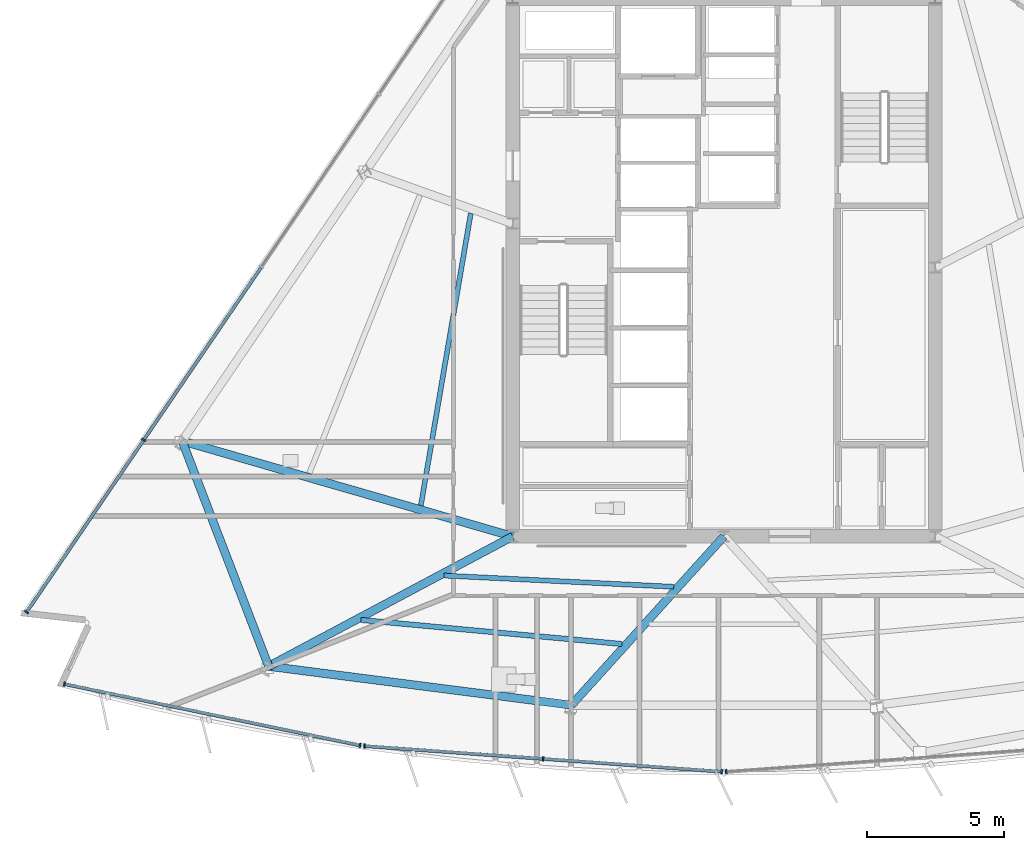
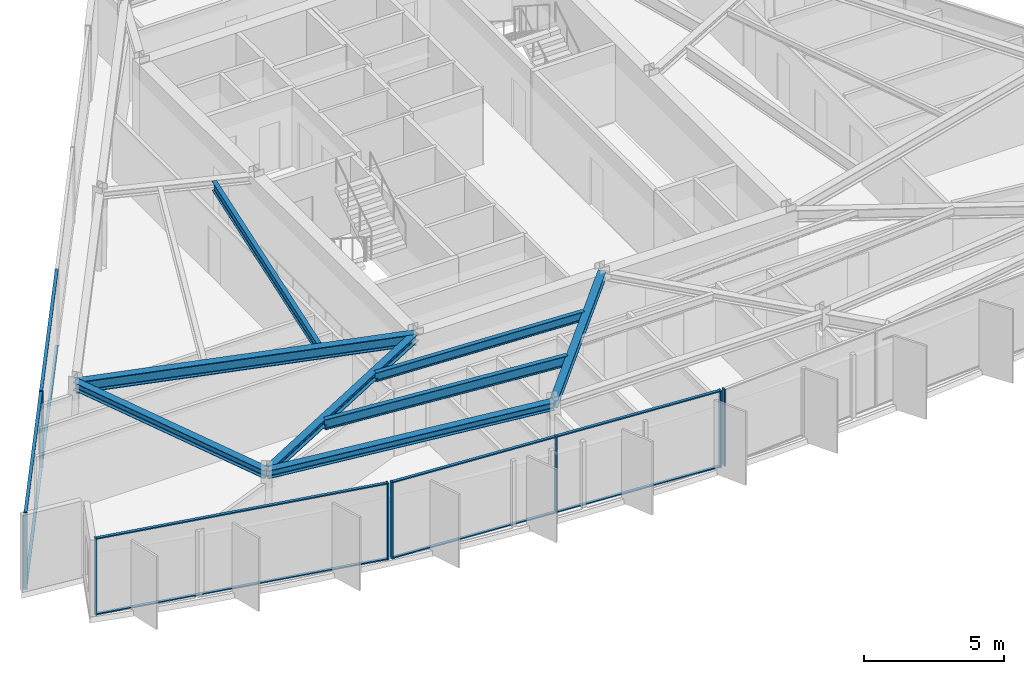
# One storey, part 2 of 15: 18 members, 8 beams, 4 elements without a shape of their own.
"""IFC4 building model written with IfcOpenShell, lengths in metres."""

from ifc_helpers import new_model, si_unit, direction, frame, origin, origin_2d, place, context, subcontext, project, spatial, rectangle, i_section, extrude, material, material_profile, profile_set, type_object, element, aggregate, save


model = new_model("IFC4")

# Units and contexts
model_context = context("Model", 3, precision=1e-05, world=origin(), true_north=direction((0.0, 1.0)))
body_context = subcontext(model_context, "Body", "Model", "MODEL_VIEW")
ifc_project = project(units=[si_unit("LENGTHUNIT", "METRE"), si_unit("AREAUNIT", "SQUARE_METRE"), si_unit("VOLUMEUNIT", "CUBIC_METRE"), si_unit("PLANEANGLEUNIT", "RADIAN"), si_unit("MASSUNIT", "GRAM", prefix="KILO")], contexts=[model_context])

# Site, building, storey
site_placement = place(None, origin())
site = spatial("IfcSite", under=ifc_project, at=site_placement, CompositionType="ELEMENT")
building_placement = place(site_placement, origin())
building = spatial("IfcBuilding", under=site, at=building_placement, Name="Savorim Split Tower", CompositionType="ELEMENT")
storey_placement = place(building_placement, frame((0.0, 0.0, 212.699951171875)))
storey = spatial("IfcBuildingStorey", under=building, at=storey_placement, Name="L56", CompositionType="ELEMENT", Elevation=212.699951171875)

# Beams
ifc_material_1 = material(Name="Steel S355", Category="steel")
ifc_material_profile_1 = material_profile(ifc_material_1, i_section(OverallWidth=0.179931640625, OverallDepth=0.39990234375, WebThickness=0.008544921875, FlangeThickness=0.013427734375, FilletRadius=0.02099609375, at=origin_2d()), Name="IPE 400")
ifc_profile_set_1 = profile_set([ifc_material_profile_1], Name="Steel S355")
beam_type_1 = type_object("IfcBeamType", Name="BM-JST-IPE400", PredefinedType="JOIST", material=ifc_profile_set_1)
beam_1_placement = place(storey_placement, frame((-10.208984375, -10.828369140625, 3.150146484375), z_axis=(0.998808721935, -0.04879689526, 0.0), x_axis=(0.04879689526, 0.998808721935, 0.0)))
element("IfcBeam", 1, at=beam_1_placement, inside=storey, type_object=beam_type_1, Name="L56 Secondary Floor Joist JS-02", PredefinedType="JOIST", context=body_context, shape_type="SweptSolid", body=[
    extrude(i_section(OverallWidth=0.179931640625, OverallDepth=0.39990234375, WebThickness=0.008544921875, FlangeThickness=0.013427734375, FilletRadius=0.02099609375, at=origin_2d()), origin(), (0.0, 0.0, 1.0), 8.390380859375),
])
beam_2_placement = place(storey_placement, frame((-9.228271484375, 2.3759765625, 3.150146484375), z_axis=(-0.168382724639, -0.985721694011, 0.0), x_axis=(0.985721694011, -0.168382724639, 0.0)))
element("IfcBeam", 2, at=beam_2_placement, inside=storey, type_object=beam_type_1, Name="L56 Secondary Floor Joist JS-11", PredefinedType="JOIST", context=body_context, shape_type="SweptSolid", body=[
    extrude(i_section(OverallWidth=0.179931640625, OverallDepth=0.39990234375, WebThickness=0.008544921875, FlangeThickness=0.013427734375, FilletRadius=0.02099609375, at=origin_2d()), origin(), (0.0, 0.0, 1.0), 10.799072265625),
])
ifc_material_profile_2 = material_profile(ifc_material_1, i_section(OverallWidth=0.18994140625, OverallDepth=0.449951171875, WebThickness=0.009521484375, FlangeThickness=0.0146484375, FilletRadius=0.02099609375, at=origin_2d()), Name="IPE 450")
ifc_profile_set_2 = profile_set([ifc_material_profile_2], Name="Steel S355")
beam_type_2 = type_object("IfcBeamType", Name="BM-JST-IPE450", PredefinedType="JOIST", material=ifc_profile_set_2)
beam_3_placement = place(storey_placement, frame((-13.234130859375, -12.4453125, 3.125), z_axis=(0.995777429373, -0.091800387534, 0.0), x_axis=(0.091800387534, 0.995777429373, 0.0)))
element("IfcBeam", 3, at=beam_3_placement, inside=storey, type_object=beam_type_2, Name="L56 Secondary Floor Joist JS-01", PredefinedType="JOIST", context=body_context, shape_type="SweptSolid", body=[
    extrude(i_section(OverallWidth=0.18994140625, OverallDepth=0.449951171875, WebThickness=0.009521484375, FlangeThickness=0.0146484375, FilletRadius=0.02099609375, at=origin_2d()), origin(), (0.0, 0.0, 1.0), 9.555419921875),
])
ifc_material_profile_3 = material_profile(ifc_material_1, i_section(OverallWidth=0.300048828125, OverallDepth=0.320068359375, WebThickness=0.011474609375, FlangeThickness=0.0205078125, FilletRadius=0.027099609375, at=origin_2d()), Name="HEB 320")
ifc_profile_set_3 = profile_set([ifc_material_profile_3], Name="Steel S355")
beam_type_3 = type_object("IfcBeamType", Name="BM-PRI-HEB320", PredefinedType="BEAM", material=ifc_profile_set_3)
beam_4_placement = place(storey_placement, frame((-16.595947265625, -14.135009765625, 3.18994140625), z_axis=(0.882740924774, 0.469860042703, 0.0), x_axis=(-0.469860042703, 0.882740924774, 0.0)))
element("IfcBeam", 4, at=beam_4_placement, inside=storey, type_object=beam_type_3, Name="L56 Primary Floor Girder RG-01", PredefinedType="BEAM", context=body_context, shape_type="SweptSolid", body=[
    extrude(i_section(OverallWidth=0.300048828125, OverallDepth=0.320068359375, WebThickness=0.011474609375, FlangeThickness=0.0205078125, FilletRadius=0.027099609375, at=origin_2d()), origin(), (0.0, 0.0, 1.0), 10.07763671875),
])
beam_5_placement = place(storey_placement, frame((-5.562255859375, -15.5517578125, 3.18994140625), z_axis=(0.670667402164, 0.741758205667, 0.0), x_axis=(-0.741758205667, 0.670667402164, 0.0)))
element("IfcBeam", 5, at=beam_5_placement, inside=storey, type_object=beam_type_3, Name="L56 Primary Floor Girder RG-02", PredefinedType="BEAM", context=body_context, shape_type="SweptSolid", body=[
    extrude(i_section(OverallWidth=0.300048828125, OverallDepth=0.320068359375, WebThickness=0.011474609375, FlangeThickness=0.0205078125, FilletRadius=0.027099609375, at=origin_2d()), origin(), (0.0, 0.0, 1.0), 8.293701171875),
])
ifc_material_profile_4 = material_profile(ifc_material_1, i_section(OverallWidth=0.300048828125, OverallDepth=0.5, WebThickness=0.014404296875, FlangeThickness=0.028076171875, FilletRadius=0.027099609375, at=origin_2d()), Name="HEB 500")
ifc_profile_set_4 = profile_set([ifc_material_profile_4], Name="Steel S355")
beam_type_4 = type_object("IfcBeamType", Name="BM-PRI-HEB500", PredefinedType="BEAM", material=ifc_profile_set_4)
beam_6_placement = place(storey_placement, frame((-19.748291015625, -5.923095703125, 3.10009765625), z_axis=(0.960795469509, -0.277258121201, 0.0), x_axis=(0.277258121201, 0.960795469509, 0.0)))
element("IfcBeam", 6, at=beam_6_placement, inside=storey, type_object=beam_type_4, Name="L56 Primary Floor Girder RG-10", PredefinedType="BEAM", context=body_context, shape_type="SweptSolid", body=[
    extrude(i_section(OverallWidth=0.300048828125, OverallDepth=0.5, WebThickness=0.014404296875, FlangeThickness=0.028076171875, FilletRadius=0.027099609375, at=origin_2d()), origin(), (0.0, 0.0, 1.0), 12.5400390625),
])
ifc_material_profile_5 = material_profile(ifc_material_1, i_section(OverallWidth=0.300048828125, OverallDepth=0.35009765625, WebThickness=0.010009765625, FlangeThickness=0.017578125, FilletRadius=0.027099609375, at=origin_2d()), Name="HEA 360")
ifc_profile_set_5 = profile_set([ifc_material_profile_5], Name="Steel S355")
beam_type_5 = type_object("IfcBeamType", Name="BM-SPN-HEA360", PredefinedType="SPANDREL", material=ifc_profile_set_5)
beam_7_placement = place(storey_placement, frame((-16.595947265625, -14.135009765625, 3.175048828125), z_axis=(0.991857016429, -0.127356424887, 0.0), x_axis=(0.127356424887, 0.991857016429, 0.0)))
element("IfcBeam", 7, at=beam_7_placement, inside=storey, type_object=beam_type_5, Name="L56 Perimeter Spandrel Beam 1", PredefinedType="SPANDREL", context=body_context, shape_type="SweptSolid", body=[
    extrude(i_section(OverallWidth=0.300048828125, OverallDepth=0.35009765625, WebThickness=0.010009765625, FlangeThickness=0.017578125, FilletRadius=0.027099609375, at=origin_2d()), origin(), (0.0, 0.0, 1.0), 11.124267578125),
])
beam_8_placement = place(storey_placement, frame((-19.748291015625, -5.923095703125, 3.175048828125), z_axis=(0.358376399785, -0.93357718271, 0.0), x_axis=(0.93357718271, 0.358376399785, 0.0)))
element("IfcBeam", 8, at=beam_8_placement, inside=storey, type_object=beam_type_5, Name="L56 Perimeter Spandrel Beam 10", PredefinedType="SPANDREL", context=body_context, shape_type="SweptSolid", body=[
    extrude(i_section(OverallWidth=0.300048828125, OverallDepth=0.35009765625, WebThickness=0.010009765625, FlangeThickness=0.017578125, FilletRadius=0.027099609375, at=origin_2d()), origin(), (0.0, 0.0, 1.0), 8.796142578125),
])

# Curtain wall, members
ifc_material_2 = material(Name="Dark Ceramic-Fritted Insulated Glass", Category="glass")
curtain_wall_type = type_object("IfcCurtainWallType", Name="CW-TWR-FRIT-B", PredefinedType="NOTDEFINED", material=ifc_material_2)
curtain_wall_1_placement = place(storey_placement, origin())
curtain_wall_1 = element("IfcCurtainWall", 9, at=curtain_wall_1_placement, inside=storey, type_object=curtain_wall_type, Name="L56 Curtain Wall CW-L56-SF1", PredefinedType="NOTDEFINED")
ifc_material_3 = material(Name="Charcoal Anodised Aluminium", Category="aluminium")
ifc_material_profile_6 = material_profile(ifc_material_3, rectangle(XDim=0.159912109375, YDim=0.06005859375, at=origin_2d()), Name="ALU-M 160x60")
ifc_profile_set_6 = profile_set([ifc_material_profile_6], Name="Charcoal Anodised Aluminium")
member_type_1 = type_object("IfcMemberType", Name="CWM-160x60", PredefinedType="MULLION", material=ifc_profile_set_6)
member_1_placement = place(storey_placement, frame((-24.041259765625, -14.782958984375, 0.0), z_axis=(0.0, 0.0, 1.0), x_axis=(0.203207957161, 0.979135601511, 0.0)))
member_1 = element("IfcMember", 10, at=member_1_placement, type_object=member_type_1, Name="CW-03 mullion 1", PredefinedType="MULLION", context=body_context, shape_type="SweptSolid", body=[
    extrude(rectangle(XDim=0.159912109375, YDim=0.06005859375, at=origin_2d()), origin(), (0.0, 0.0, 1.0), 3.35009765625),
])
member_2_placement = place(storey_placement, frame((-13.264404296875, -17.01953125, 0.0), z_axis=(0.0, 0.0, 1.0), x_axis=(0.203207957161, 0.979135601511, 0.0)))
member_2 = element("IfcMember", 11, at=member_2_placement, type_object=member_type_1, Name="CW-03 mullion 2", PredefinedType="MULLION", context=body_context, shape_type="SweptSolid", body=[
    extrude(rectangle(XDim=0.159912109375, YDim=0.06005859375, at=origin_2d()), origin(), (0.0, 0.0, 1.0), 3.35009765625),
])

curtain_wall_2_placement = place(storey_placement, origin())
curtain_wall_2 = element("IfcCurtainWall", 12, at=curtain_wall_2_placement, inside=storey, type_object=curtain_wall_type, Name="L56 Curtain Wall CW-L56-SF2", PredefinedType="NOTDEFINED")
member_3_placement = place(storey_placement, frame((-13.102294921875, -17.0419921875, 0.0), z_axis=(0.0, 0.0, 1.0), x_axis=(0.071561883187, 0.997436161804, 0.0)))
member_3 = element("IfcMember", 13, at=member_3_placement, type_object=member_type_1, Name="CW-03 mullion 1", PredefinedType="MULLION", context=body_context, shape_type="SweptSolid", body=[
    extrude(rectangle(XDim=0.159912109375, YDim=0.06005859375, at=origin_2d()), origin(), (0.0, 0.0, 1.0), 3.35009765625),
])
member_4_placement = place(storey_placement, frame((-6.591796875, -17.509033203125, 0.0), z_axis=(0.0, 0.0, 1.0), x_axis=(0.071561883187, 0.997436161804, 0.0)))
member_4 = element("IfcMember", 14, at=member_4_placement, type_object=member_type_1, Name="CW-03 mullion 2", PredefinedType="MULLION", context=body_context, shape_type="SweptSolid", body=[
    extrude(rectangle(XDim=0.159912109375, YDim=0.06005859375, at=origin_2d()), origin(), (0.0, 0.0, 1.0), 3.35009765625),
])
member_5_placement = place(storey_placement, frame((-0.081298828125, -17.976318359375, 0.0), z_axis=(0.0, 0.0, 1.0), x_axis=(0.071561883187, 0.997436161804, 0.0)))
member_5 = element("IfcMember", 15, at=member_5_placement, type_object=member_type_1, Name="CW-03 mullion 3", PredefinedType="MULLION", context=body_context, shape_type="SweptSolid", body=[
    extrude(rectangle(XDim=0.159912109375, YDim=0.06005859375, at=origin_2d()), origin(), (0.0, 0.0, 1.0), 3.35009765625),
])

# Curtain wall, member
curtain_wall_3_placement = place(storey_placement, origin())
curtain_wall_3 = element("IfcCurtainWall", 16, at=curtain_wall_3_placement, inside=storey, type_object=curtain_wall_type, Name="L56 Curtain Wall CW-L56-SF3", PredefinedType="NOTDEFINED")
member_6_placement = place(storey_placement, frame((0.081298828125, -17.976318359375, 0.0), z_axis=(0.0, 0.0, 1.0), x_axis=(-0.071561883187, 0.997436161804, 0.0)))
member_6 = element("IfcMember", 17, at=member_6_placement, type_object=member_type_1, Name="CW-03 mullion 1", PredefinedType="MULLION", context=body_context, shape_type="SweptSolid", body=[
    extrude(rectangle(XDim=0.159912109375, YDim=0.06005859375, at=origin_2d()), origin(), (0.0, 0.0, 1.0), 3.35009765625),
])
aggregate(curtain_wall_3, [member_6])

# Curtain wall, members
curtain_wall_4_placement = place(storey_placement, origin())
curtain_wall_4 = element("IfcCurtainWall", 18, at=curtain_wall_4_placement, inside=storey, type_object=curtain_wall_type, Name="L56 Curtain Wall CW-L56-WEST", PredefinedType="NOTDEFINED")
member_7_placement = place(storey_placement, frame((-21.147705078125, -5.884033203125, 0.0), z_axis=(0.0, 0.0, 1.0), x_axis=(0.826820907104, -0.562465276773, 0.0)))
member_7 = element("IfcMember", 19, at=member_7_placement, type_object=member_type_1, Name="CW-03 mullion 4", PredefinedType="MULLION", context=body_context, shape_type="SweptSolid", body=[
    extrude(rectangle(XDim=0.159912109375, YDim=0.06005859375, at=origin_2d()), origin(), (0.0, 0.0, 1.0), 3.35009765625),
])
member_8_placement = place(storey_placement, frame((-25.4189453125, -12.16259765625, 0.0), z_axis=(0.0, 0.0, 1.0), x_axis=(0.826820907104, -0.562465276773, 0.0)))
member_8 = element("IfcMember", 20, at=member_8_placement, type_object=member_type_1, Name="CW-03 mullion 5", PredefinedType="MULLION", context=body_context, shape_type="SweptSolid", body=[
    extrude(rectangle(XDim=0.159912109375, YDim=0.06005859375, at=origin_2d()), origin(), (0.0, 0.0, 1.0), 3.35009765625),
])

# Member
ifc_material_profile_7 = material_profile(ifc_material_3, rectangle(XDim=0.1201171875, YDim=0.050048828125, at=origin_2d()), Name="ALU-T 120x50")
ifc_profile_set_7 = profile_set([ifc_material_profile_7], Name="Charcoal Anodised Aluminium")
member_type_2 = type_object("IfcMemberType", Name="CWT-120x50", PredefinedType="USERDEFINED", material=ifc_profile_set_7)
member_9_placement = place(storey_placement, frame((-24.011962890625, -14.7890625, 0.025146484375), z_axis=(0.979137102834, -0.203200723063, 0.0), x_axis=(0.203200723063, 0.979137102834, 0.0)))
member_9 = element("IfcMember", 21, at=member_9_placement, type_object=member_type_2, Name="CW-03 transom 1.1", ObjectType="TRANSOM", PredefinedType="USERDEFINED", context=body_context, shape_type="SweptSolid", body=[
    extrude(rectangle(XDim=0.1201171875, YDim=0.050048828125, at=origin_2d()), origin(), (0.0, 0.0, 1.0), 10.946533203125),
])

member_10_placement = place(storey_placement, frame((-24.011962890625, -14.7890625, 3.324951171875), z_axis=(0.979137102834, -0.203200723063, 0.0), x_axis=(0.203200723063, 0.979137102834, 0.0)))
member_10 = element("IfcMember", 22, at=member_10_placement, type_object=member_type_2, Name="CW-03 transom 1.2", ObjectType="TRANSOM", PredefinedType="USERDEFINED", context=body_context, shape_type="SweptSolid", body=[
    extrude(rectangle(XDim=0.1201171875, YDim=0.050048828125, at=origin_2d()), origin(), (0.0, 0.0, 1.0), 10.946533203125),
])

aggregate(curtain_wall_1, [member_1, member_2, member_9, member_10])

member_11_placement = place(storey_placement, frame((-13.072265625, -17.044189453125, 0.025146484375), z_axis=(0.997435267849, -0.071574342133, 0.0), x_axis=(0.071574342133, 0.997435267849, 0.0)))
member_11 = element("IfcMember", 23, at=member_11_placement, type_object=member_type_2, Name="CW-03 transom 1.1", ObjectType="TRANSOM", PredefinedType="USERDEFINED", context=body_context, shape_type="SweptSolid", body=[
    extrude(rectangle(XDim=0.1201171875, YDim=0.050048828125, at=origin_2d()), origin(), (0.0, 0.0, 1.0), 6.46728515625),
])

member_12_placement = place(storey_placement, frame((-13.072265625, -17.044189453125, 3.324951171875), z_axis=(0.997435267849, -0.071574342133, 0.0), x_axis=(0.071574342133, 0.997435267849, 0.0)))
member_12 = element("IfcMember", 24, at=member_12_placement, type_object=member_type_2, Name="CW-03 transom 1.2", ObjectType="TRANSOM", PredefinedType="USERDEFINED", context=body_context, shape_type="SweptSolid", body=[
    extrude(rectangle(XDim=0.1201171875, YDim=0.050048828125, at=origin_2d()), origin(), (0.0, 0.0, 1.0), 6.46728515625),
])

member_13_placement = place(storey_placement, frame((-6.561767578125, -17.51123046875, 0.025146484375), z_axis=(0.997435267849, -0.071574342133, 0.0), x_axis=(0.071574342133, 0.997435267849, 0.0)))
member_13 = element("IfcMember", 25, at=member_13_placement, type_object=member_type_2, Name="CW-03 transom 2.1", ObjectType="TRANSOM", PredefinedType="USERDEFINED", context=body_context, shape_type="SweptSolid", body=[
    extrude(rectangle(XDim=0.1201171875, YDim=0.050048828125, at=origin_2d()), origin(), (0.0, 0.0, 1.0), 6.46728515625),
])

member_14_placement = place(storey_placement, frame((-6.561767578125, -17.51123046875, 3.324951171875), z_axis=(0.997435267849, -0.071574342133, 0.0), x_axis=(0.071574342133, 0.997435267849, 0.0)))
member_14 = element("IfcMember", 26, at=member_14_placement, type_object=member_type_2, Name="CW-03 transom 2.2", ObjectType="TRANSOM", PredefinedType="USERDEFINED", context=body_context, shape_type="SweptSolid", body=[
    extrude(rectangle(XDim=0.1201171875, YDim=0.050048828125, at=origin_2d()), origin(), (0.0, 0.0, 1.0), 6.46728515625),
])

aggregate(curtain_wall_2, [member_3, member_4, member_5, member_11, member_12, member_13, member_14])

member_15_placement = place(storey_placement, frame((-16.876708984375, 0.39453125, 0.025146484375), z_axis=(-0.562460105571, -0.826824424918, 0.0), x_axis=(0.826824424918, -0.562460105571, 0.0)))
member_15 = element("IfcMember", 27, at=member_15_placement, type_object=member_type_2, Name="CW-03 transom 3.1", ObjectType="TRANSOM", PredefinedType="USERDEFINED", context=body_context, shape_type="SweptSolid", body=[
    extrude(rectangle(XDim=0.1201171875, YDim=0.050048828125, at=origin_2d()), origin(), (0.0, 0.0, 1.0), 7.5634765625),
])

member_16_placement = place(storey_placement, frame((-16.876708984375, 0.39453125, 3.324951171875), z_axis=(-0.562460105571, -0.826824424918, 0.0), x_axis=(0.826824424918, -0.562460105571, 0.0)))
member_16 = element("IfcMember", 28, at=member_16_placement, type_object=member_type_2, Name="CW-03 transom 3.2", ObjectType="TRANSOM", PredefinedType="USERDEFINED", context=body_context, shape_type="SweptSolid", body=[
    extrude(rectangle(XDim=0.1201171875, YDim=0.050048828125, at=origin_2d()), origin(), (0.0, 0.0, 1.0), 7.5634765625),
])

member_17_placement = place(storey_placement, frame((-21.16455078125, -5.90869140625, 0.025146484375), z_axis=(-0.562453610104, -0.826828843523, 0.0), x_axis=(0.826828843523, -0.562453610104, 0.0)))
member_17 = element("IfcMember", 29, at=member_17_placement, type_object=member_type_2, Name="CW-03 transom 4.1", ObjectType="TRANSOM", PredefinedType="USERDEFINED", context=body_context, shape_type="SweptSolid", body=[
    extrude(rectangle(XDim=0.1201171875, YDim=0.050048828125, at=origin_2d()), origin(), (0.0, 0.0, 1.0), 7.53369140625),
])

member_18_placement = place(storey_placement, frame((-21.16455078125, -5.90869140625, 3.324951171875), z_axis=(-0.562453610104, -0.826828843523, 0.0), x_axis=(0.826828843523, -0.562453610104, 0.0)))
member_18 = element("IfcMember", 30, at=member_18_placement, type_object=member_type_2, Name="CW-03 transom 4.2", ObjectType="TRANSOM", PredefinedType="USERDEFINED", context=body_context, shape_type="SweptSolid", body=[
    extrude(rectangle(XDim=0.1201171875, YDim=0.050048828125, at=origin_2d()), origin(), (0.0, 0.0, 1.0), 7.53369140625),
])

aggregate(curtain_wall_4, [member_7, member_8, member_15, member_16, member_17, member_18])

save(model, "model.ifc")
